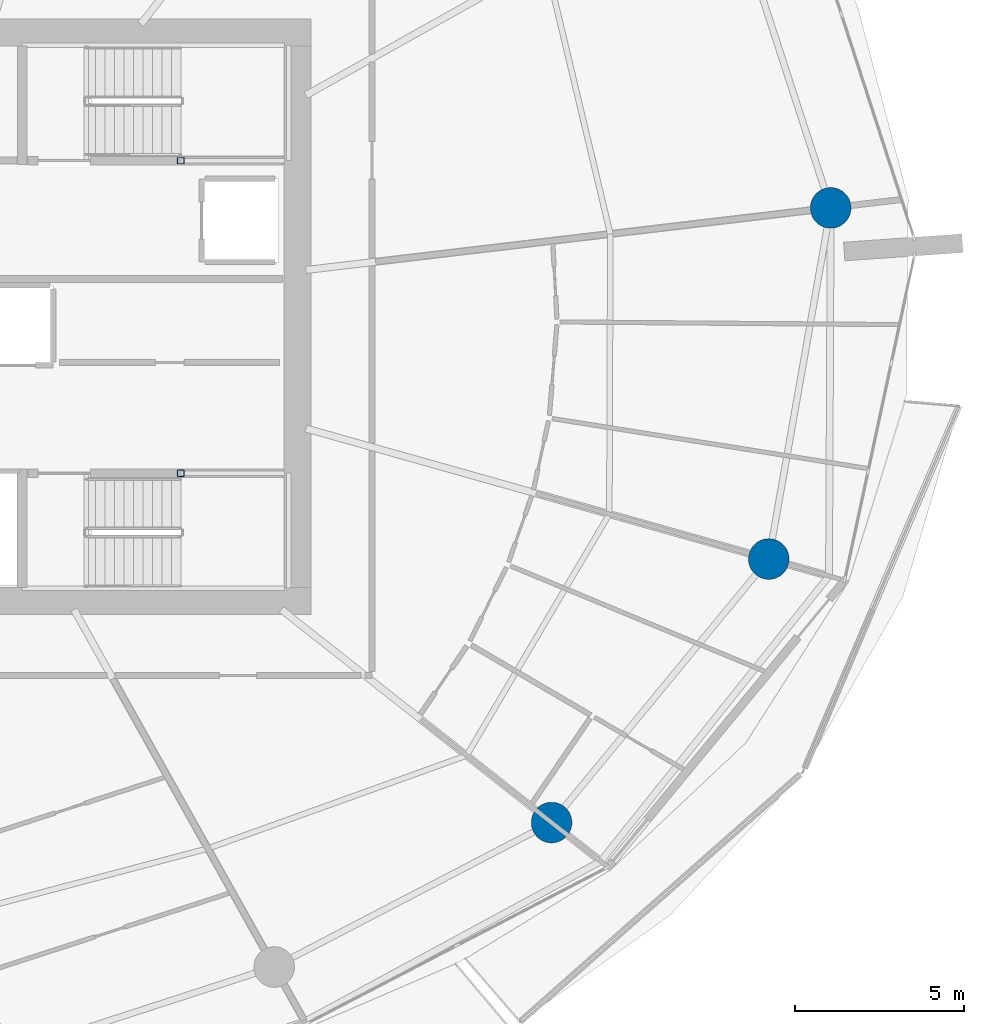
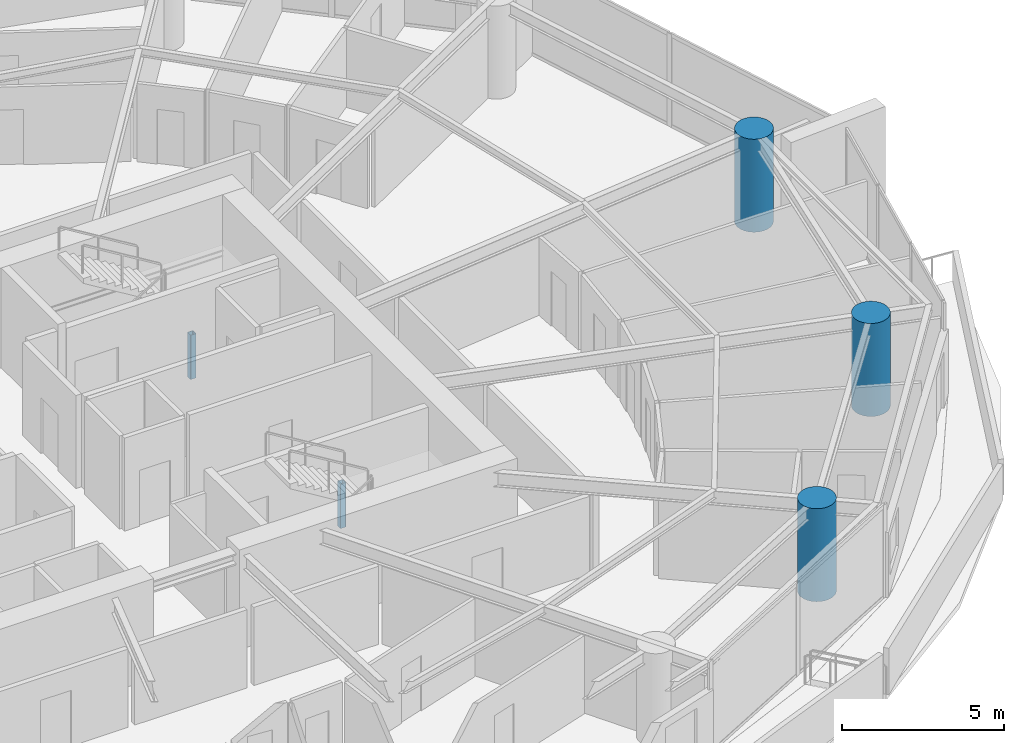
# One storey, part 3 of 23: 5 columns.
"""IFC4 building model written with IfcOpenShell, lengths in metres."""

import ifcopenshell
import ifcopenshell.guid

model = None  # the IFC model being written
_history = None  # IfcOwnerHistory: only IFC2X3 demands one
_inside = {}  # id of a spatial element -> (the spatial element, [elements in it])
_under = {}  # id of a project, library or spatial element -> (it, [spatial elements below it])
_declared = {}  # id of a project -> (the project, [libraries it declares])
_typed = {}  # id of a type object -> (the type object, [elements of that type])
_made_of = {}  # id of a material, layer set ... -> (it, [elements and type objects made of it])


def new_model(schema):
    """Start an empty IFC model of exactly this schema.

    Asked for "IFC4X3", IfcOpenShell would pick the latest addendum, in which some entities
    have other attributes; the version numbers below select the first issue.
    IFC2X3 requires an IfcOwnerHistory on every rooted entity: one is made here for all.
    """
    global model, _history
    if schema == "IFC4X3":
        model = ifcopenshell.file(schema_version=(4, 3, 0, 0))
    else:
        model = ifcopenshell.file(schema=schema)
    _inside.clear()
    _under.clear()
    _declared.clear()
    _typed.clear()
    _made_of.clear()
    _history = None
    if model.schema == "IFC2X3":
        org = make("IfcOrganization", Name="unknown")
        user = make(
            "IfcPersonAndOrganization",
            ThePerson=make("IfcPerson", FamilyName="unknown"),
            TheOrganization=org,
        )
        app = make(
            "IfcApplication",
            ApplicationDeveloper=org,
            Version="unknown",
            ApplicationFullName="unknown",
            ApplicationIdentifier="unknown",
        )
        _history = make(
            "IfcOwnerHistory",
            OwningUser=user,
            OwningApplication=app,
            ChangeAction="ADDED",
            CreationDate=0,
        )
    return model


def make(cls, **values):
    """One entity of the class cls with the attributes given. An attribute that is None is left unset."""
    return model.create_entity(
        cls, **{name: value for name, value in values.items() if value is not None}
    )


def rooted(cls, **values):
    """An entity with a GlobalId (a new one), such as an element, a storey or a relation."""
    return make(cls, GlobalId=ifcopenshell.guid.new(), OwnerHistory=_history, **values)


def si_unit(unit_type, name, prefix=None):
    """IfcSIUnit, for example si_unit("LENGTHUNIT", "METRE", prefix="MILLI")."""
    return make("IfcSIUnit", UnitType=unit_type, Prefix=prefix, Name=name)


def assignment(units):
    """IfcUnitAssignment: the units of a project."""
    return None if units is None else make("IfcUnitAssignment", Units=units)


def point(xyz):
    """IfcCartesianPoint."""
    return None if xyz is None else make("IfcCartesianPoint", Coordinates=xyz)


def direction(xyz):
    """IfcDirection."""
    return None if xyz is None else make("IfcDirection", DirectionRatios=xyz)


def frame(location, z_axis=None, x_axis=None):
    """IfcAxis2Placement3D, a coordinate frame: its origin and axes. An axis left out is left unset."""
    return make(
        "IfcAxis2Placement3D",
        Location=point(location),
        Axis=direction(z_axis),
        RefDirection=direction(x_axis),
    )


def frame_2d(location, x_axis=None):
    """IfcAxis2Placement2D, a coordinate frame in the plane: its origin and x axis."""
    return make(
        "IfcAxis2Placement2D", Location=point(location), RefDirection=direction(x_axis)
    )


def origin():
    """The frame at (0, 0, 0) with its axes left unset."""
    return frame((0.0, 0.0, 0.0))


def origin_2d():
    """The frame at (0, 0) in the plane with its x axis left unset."""
    return frame_2d((0.0, 0.0))


def place(relative_to, where):
    """IfcLocalPlacement: puts the frame where relative to a parent placement (None: the world)."""
    return make(
        "IfcLocalPlacement", PlacementRelTo=relative_to, RelativePlacement=where
    )


def context(
    kind, dimensions, precision=None, world=None, true_north=None, identifier=None
):
    """IfcGeometricRepresentationContext, for example the 3D "Model" context."""
    return make(
        "IfcGeometricRepresentationContext",
        ContextIdentifier=identifier,
        ContextType=kind,
        CoordinateSpaceDimension=dimensions,
        Precision=precision,
        WorldCoordinateSystem=world,
        TrueNorth=true_north,
    )


def subcontext(parent, identifier, kind, view, scale=None):
    """IfcGeometricRepresentationSubContext, for example "Body" below "Model"."""
    return make(
        "IfcGeometricRepresentationSubContext",
        ContextIdentifier=identifier,
        ContextType=kind,
        ParentContext=parent,
        TargetScale=scale,
        TargetView=view,
    )


def project(units=None, contexts=None):
    """IfcProject with its units and contexts."""
    return rooted(
        "IfcProject",
        Name="project",
        RepresentationContexts=contexts,
        UnitsInContext=assignment(units),
    )


def spatial(cls, under=None, at=None, **own):
    """A site, building, storey or space (cls), placed at a placement, below another one or the project."""
    s = rooted(cls, ObjectPlacement=at, **own)
    if under is not None:
        _under.setdefault(under.id(), (under, []))[1].append(s)
    return s


def profile(cls, at=None, kind="AREA", **sizes):
    """A parametric profile (cls). Its sizes go by their IFC names, for example OverallWidth=200.0."""
    return make(cls, ProfileType=kind, Position=at, **sizes)


def hollow_rectangle(**sizes):
    """IfcRectangleHollowProfileDef."""
    return profile("IfcRectangleHollowProfileDef", **sizes)


def circle(**sizes):
    """IfcCircleProfileDef."""
    return profile("IfcCircleProfileDef", **sizes)


def extrude(swept, where, along, depth):
    """IfcExtrudedAreaSolid: the profile swept, set in the frame where, extruded along a direction by depth."""
    return make(
        "IfcExtrudedAreaSolid",
        SweptArea=swept,
        Position=where,
        ExtrudedDirection=direction(along),
        Depth=depth,
    )


def shape(context_of_items, identifier, shape_type, items):
    """IfcShapeRepresentation: the items that make up one representation, for example the "Body"."""
    return make(
        "IfcShapeRepresentation",
        ContextOfItems=context_of_items,
        RepresentationIdentifier=identifier,
        RepresentationType=shape_type,
        Items=items,
    )


def material(Name=None, Category=None):
    """IfcMaterial."""
    return make("IfcMaterial", Name=Name, Category=Category)


def material_profile(
    of_material, cross_section, Name=None, Category=None, Priority=None
):
    """IfcMaterialProfile: a cross section and its material."""
    return make(
        "IfcMaterialProfile",
        Name=Name,
        Material=of_material,
        Profile=cross_section,
        Priority=Priority,
        Category=Category,
    )


def profile_set(profiles, Name=None, composite=None):
    """IfcMaterialProfileSet."""
    return make(
        "IfcMaterialProfileSet",
        Name=Name,
        MaterialProfiles=profiles,
        CompositeProfile=composite,
    )


def made_of(thing, what):
    """Note that an element or type object is made of a material, layer set ...; save() writes the relation."""
    if what is not None:
        _made_of.setdefault(what.id(), (what, []))[1].append(thing)
    return thing


def type_object(cls, material=None, **own):
    """A type object (cls), such as IfcWallType, which elements share."""
    return made_of(rooted(cls, **own), material)


def element(
    cls,
    number,
    at=None,
    inside=None,
    cuts=None,
    type_object=None,
    material=None,
    context=None,
    identifier="Body",
    shape_type=None,
    held_by="IfcProductDefinitionShape",
    body=None,
    shapes=None,
    **own,
):
    """One element of the class cls, such as IfcWall. Its Tag is "e" and its number.

    at: its placement. inside: the storey or other place that contains it. cuts: it is an
    opening in that element (IfcRelVoidsElement). A single representation is given by context,
    identifier, shape_type and body (its items); several are given by shapes. held_by: the class
    of the entity that holds the representations. save() writes the other relations.
    """
    e = rooted(cls, Tag="e%d" % number, ObjectPlacement=at, **own)
    if body is not None:
        shapes = [shape(context, identifier, shape_type, body)]
    if shapes is not None:
        e.Representation = make(held_by, Representations=shapes)
    if inside is not None:
        _inside.setdefault(inside.id(), (inside, []))[1].append(e)
    if cuts is not None:
        rooted(
            "IfcRelVoidsElement", RelatingBuildingElement=cuts, RelatedOpeningElement=e
        )
    if type_object is not None:
        _typed.setdefault(type_object.id(), (type_object, []))[1].append(e)
    return made_of(e, material)


def aggregate(whole, parts):
    """IfcRelAggregates: a whole, such as a stair, and the parts it consists of."""
    return rooted("IfcRelAggregates", RelatingObject=whole, RelatedObjects=parts)


def save(model, path):
    """Write the relations noted so far, then the file.

    IfcRelAggregates (storeys below a building ...), IfcRelContainedInSpatialStructure (elements
    in a storey), IfcRelDefinesByType, IfcRelAssociatesMaterial and IfcRelDeclares: one each for
    every whole, place, type object, material and project.
    """
    for whole, parts in _under.values():
        aggregate(whole, parts)
    for where, things in _inside.values():
        rooted(
            "IfcRelContainedInSpatialStructure",
            RelatedElements=things,
            RelatingStructure=where,
        )
    for kind, things in _typed.values():
        rooted("IfcRelDefinesByType", RelatedObjects=things, RelatingType=kind)
    for what, things in _made_of.values():
        rooted("IfcRelAssociatesMaterial", RelatedObjects=things, RelatingMaterial=what)
    for by, libraries in _declared.values():
        rooted("IfcRelDeclares", RelatingContext=by, RelatedDefinitions=libraries)
    model.write(path)


model = new_model("IFC4")

# Units and contexts
model_context = context("Model", 3, precision=1e-05, world=origin(), true_north=direction((0.0, 1.0)))
body_context = subcontext(model_context, "Body", "Model", "MODEL_VIEW")
ifc_project = project(units=[si_unit("LENGTHUNIT", "METRE"), si_unit("AREAUNIT", "SQUARE_METRE"), si_unit("VOLUMEUNIT", "CUBIC_METRE"), si_unit("PLANEANGLEUNIT", "RADIAN"), si_unit("MASSUNIT", "GRAM", prefix="KILO")], contexts=[model_context])

# Site, building, storey
site_placement = place(None, origin())
site = spatial("IfcSite", under=ifc_project, at=site_placement, CompositionType="ELEMENT")
building_placement = place(site_placement, origin())
building = spatial("IfcBuilding", under=site, at=building_placement, Name="Kazma Halo Residences", CompositionType="ELEMENT")
storey_placement = place(building_placement, frame((0.0, 0.0, 101.39990234375)))
storey = spatial("IfcBuildingStorey", under=building, at=storey_placement, Name="L25", CompositionType="ELEMENT", Elevation=101.39990234375)

# Columns
ifc_material_1 = material(Name="Steel S355", Category="steel")
ifc_material_profile_1 = material_profile(ifc_material_1, hollow_rectangle(XDim=0.199951171875, YDim=0.199951171875, WallThickness=0.010009765625, InnerFilletRadius=0.010009765625, OuterFilletRadius=0.02001953125, at=origin_2d()), Name="SHS200x200x10")
ifc_profile_set_1 = profile_set([ifc_material_profile_1], Name="Steel S355")
column_type_1 = type_object("IfcColumnType", Name="COL-LP-SHS200", PredefinedType="COLUMN", material=ifc_profile_set_1)
for number, where, z_axis, x_axis, name in (
    (1, (56.0, 46.6201171875, 0.0), (0.0, 0.0, 1.0), (1.0, 0.0, 0.0), "L25 ST-02 landing pilaster 1"),
    (2, (56.0, 37.3798828125, 0.0), (0.0, 0.0, 1.0), (1.0, 0.0, 0.0), "L25 ST-03 landing pilaster 1"),
):
    element("IfcColumn", number, at=place(storey_placement, frame(where, z_axis=z_axis, x_axis=x_axis)), inside=storey, type_object=column_type_1, Name=name, PredefinedType="COLUMN", context=body_context, shape_type="SweptSolid", body=[
        extrude(hollow_rectangle(XDim=0.199951171875, YDim=0.199951171875, WallThickness=0.010009765625, InnerFilletRadius=0.010009765625, OuterFilletRadius=0.02001953125, at=origin_2d()), origin(), (0.0, 0.0, 1.0), 1.670166015625),
    ])
ifc_material_2 = material(Name="Concrete C80/95", Category="concrete")
ifc_material_profile_2 = material_profile(ifc_material_2, circle(Radius=0.60009765625, at=origin_2d()), Name="CIRC1200")
ifc_profile_set_2 = profile_set([ifc_material_profile_2], Name="Concrete C80/95")
column_type_2 = type_object("IfcColumnType", Name="COL-PERIM-1200", PredefinedType="COLUMN", material=ifc_profile_set_2)
for number, where, z_axis, x_axis, name in (
    (3, (66.9580078125, 27.0546875, 0.0), (0.0, 0.0, 1.0), (1.0, 0.0, 0.0), "L25 perimeter ring column P14"),
    (4, (73.376708984375, 34.843017578125, 0.0), (0.0, 0.0, 1.0), (1.0, 0.0, 0.0), "L25 perimeter ring column P15"),
    (5, (75.20654296875, 45.22021484375, 0.0), (0.0, 0.0, 1.0), (1.0, 0.0, 0.0), "L25 perimeter ring column P16"),
):
    element("IfcColumn", number, at=place(storey_placement, frame(where, z_axis=z_axis, x_axis=x_axis)), inside=storey, type_object=column_type_2, Name=name, PredefinedType="COLUMN", context=body_context, shape_type="SweptSolid", body=[
        extrude(circle(Radius=0.60009765625, at=origin_2d()), origin(), (0.0, 0.0, 1.0), 3.5),
    ])

save(model, "model.ifc")
